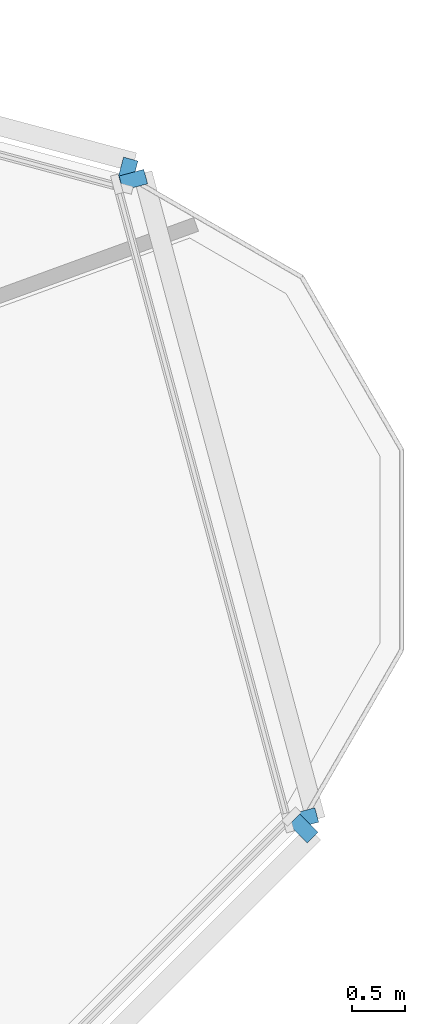
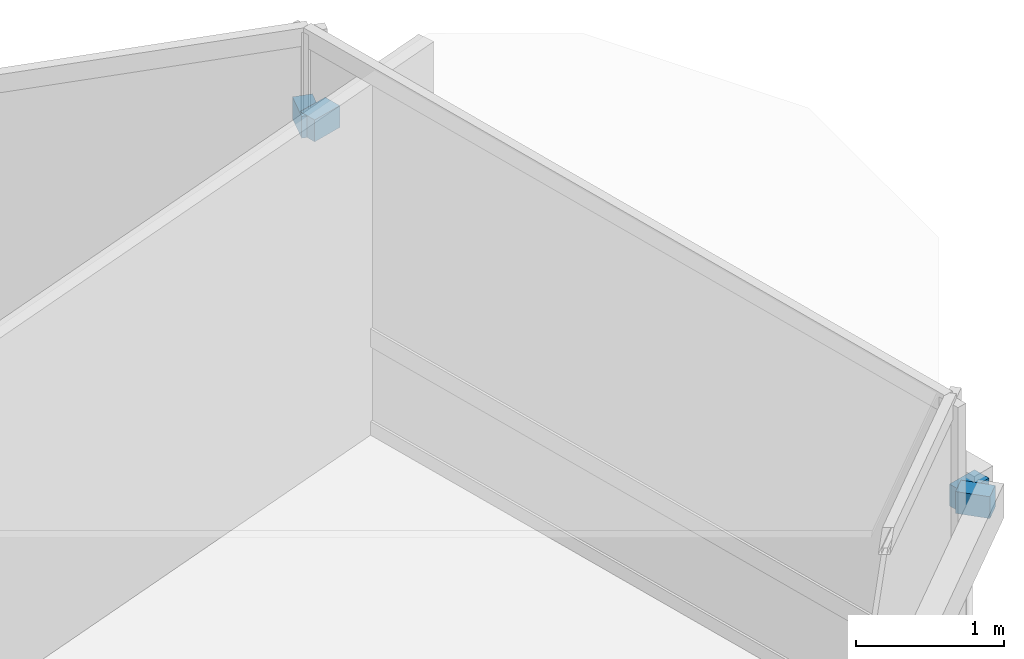
# One storey, part 10 of 13: 4 discrete accessories.
"""IFC4 building model written with IfcOpenShell, lengths in metres."""

from ifc_helpers import new_model, si_unit, direction, frame, origin, origin_2d, place, context, subcontext, project, spatial, rectangle, extrude, material, type_object, element, save


model = new_model("IFC4")

# Units and contexts
model_context = context("Model", 3, precision=1e-05, world=origin(), true_north=direction((0.0, 1.0)))
body_context = subcontext(model_context, "Body", "Model", "MODEL_VIEW")
ifc_project = project(units=[si_unit("LENGTHUNIT", "METRE"), si_unit("AREAUNIT", "SQUARE_METRE"), si_unit("VOLUMEUNIT", "CUBIC_METRE"), si_unit("PLANEANGLEUNIT", "RADIAN"), si_unit("MASSUNIT", "GRAM", prefix="KILO")], contexts=[model_context])

# Site, building, storey
site_placement = place(None, origin())
site = spatial("IfcSite", under=ifc_project, at=site_placement, CompositionType="ELEMENT")
building_placement = place(site_placement, origin())
building = spatial("IfcBuilding", under=site, at=building_placement, Name="Terralouvre Media Tower", CompositionType="ELEMENT")
storey_placement = place(building_placement, frame((0.0, 0.0, 195.300048828125)))
storey = spatial("IfcBuildingStorey", under=building, at=storey_placement, Name="L50", CompositionType="ELEMENT", Elevation=195.300048828125)

# Discrete accessories
ifc_material = material(Name="Anodised extruded aluminium 6063-T6", Category="aluminium")
discrete_accessory_type = type_object("IfcDiscreteAccessoryType", Name="Mullion Stand-Off Baguette Fixing Bracket BK-01", PredefinedType="BRACKET", material=ifc_material)
for number, where, z_axis, x_axis, name in (
    (1, (28.41552734375, 4.31298828125, 2.07421875), (0.0, 0.0, 1.0), (0.707106781187, 0.707106781187, 0.0), "CW-L50-F0 Baguette Outrigger Bracket 1.06"),
    (2, (26.764892578125, 10.472412109375, 2.07421875), (0.0, 0.0, 1.0), (-0.96592582942, 0.25881903342, 0.0), "CW-L50-F1 Baguette Outrigger Bracket 1.01"),
    (3, (28.42333984375, 4.4091796875, 2.07421875), (0.0, 0.0, 1.0), (-0.258818728144, 0.965925911218, 0.0), "CW-L50-C1 Baguette Outrigger Bracket 1.01"),
    (4, (26.81982421875, 10.39306640625, 2.07421875), (0.0, 0.0, 1.0), (-0.258818728144, 0.965925911218, 0.0), "CW-L50-C1 Baguette Outrigger Bracket 1.02"),
):
    element("IfcDiscreteAccessory", number, at=place(storey_placement, frame(where, z_axis=z_axis, x_axis=x_axis)), inside=storey, type_object=discrete_accessory_type, Name=name, PredefinedType="BRACKET", context=body_context, shape_type="SweptSolid", body=[
        extrude(rectangle(XDim=0.139892578125, YDim=0.239990234375, at=origin_2d()), origin(), (0.0, 0.0, 1.0), 0.179931640625),
    ])

save(model, "model.ifc")
